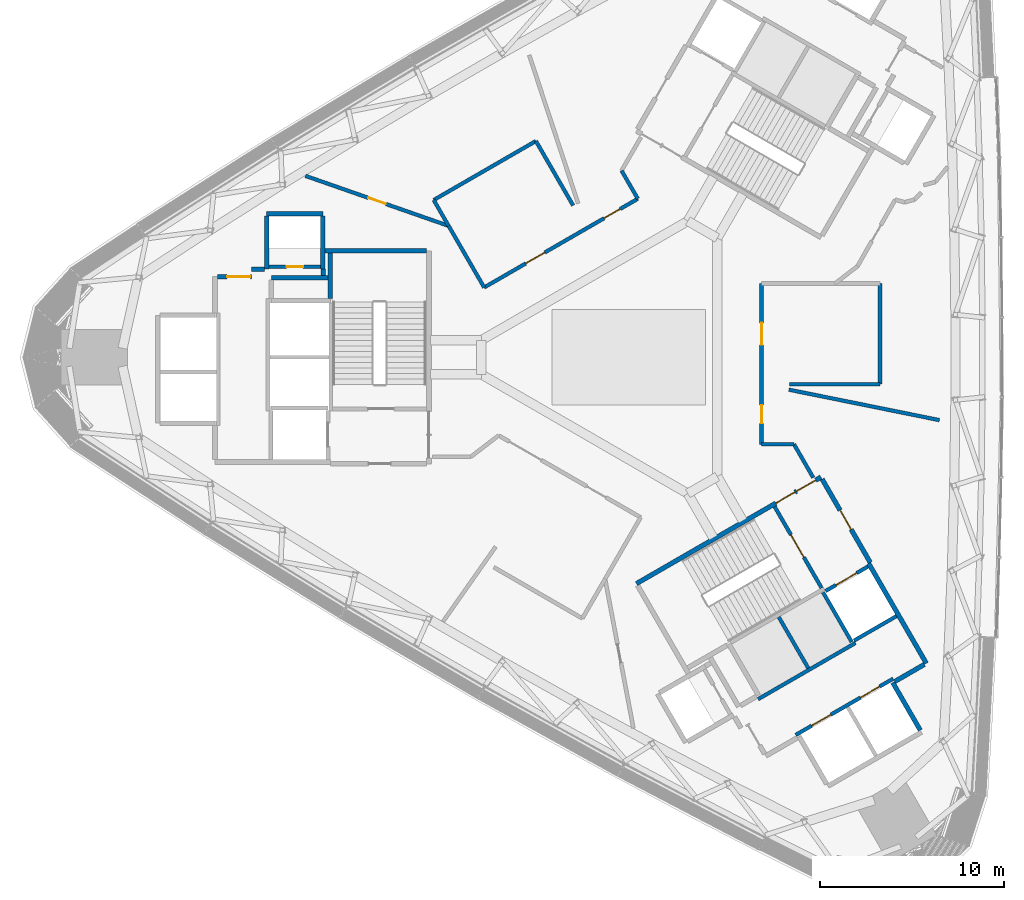
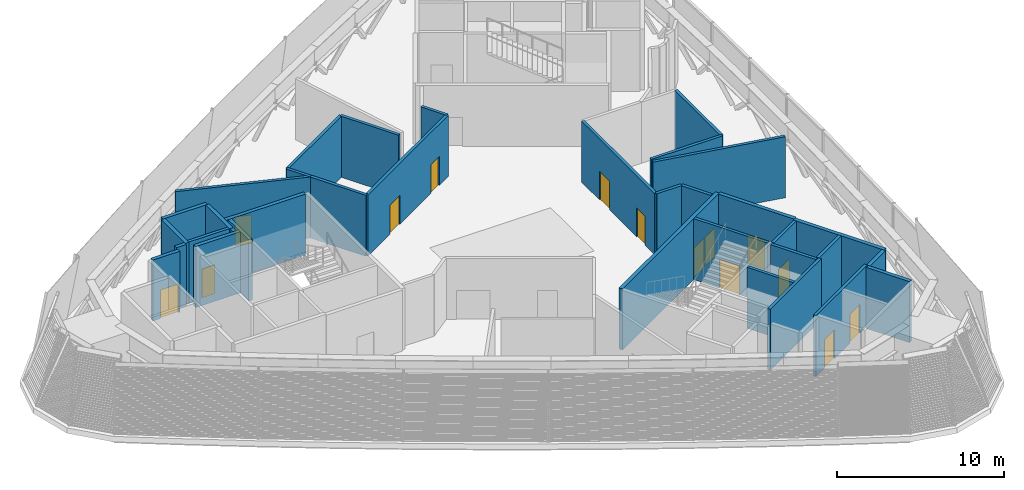
# One storey, part 11 of 18: 35 walls, 14 doors, 14 openings.
"""IFC4 building model written with IfcOpenShell, lengths in metres."""

from ifc_helpers import new_model, si_unit, direction, frame, frame_2d, origin, place, context, subcontext, project, spatial, rectangle, extrude, material, layer, layer_set, type_object, element, fill, save


model = new_model("IFC4")

# Units and contexts
model_context = context("Model", 3, precision=1e-05, world=origin(), true_north=direction((0.0, 1.0)))
body_context = subcontext(model_context, "Body", "Model", "MODEL_VIEW")
ifc_project = project(units=[si_unit("LENGTHUNIT", "METRE"), si_unit("AREAUNIT", "SQUARE_METRE"), si_unit("VOLUMEUNIT", "CUBIC_METRE"), si_unit("PLANEANGLEUNIT", "RADIAN"), si_unit("MASSUNIT", "GRAM", prefix="KILO")], contexts=[model_context])

# Site, building, storey
site_placement = place(None, origin())
site = spatial("IfcSite", under=ifc_project, at=site_placement, CompositionType="ELEMENT")
building_placement = place(site_placement, origin())
building = spatial("IfcBuilding", under=site, at=building_placement, Name="Tamra Quay Hotel Tower", CompositionType="ELEMENT")
storey_placement = place(building_placement, frame((0.0, 0.0, 164.800048828125)))
storey = spatial("IfcBuildingStorey", under=building, at=storey_placement, Name="L41", CompositionType="ELEMENT", Elevation=164.800048828125)

# Wall, opening, door
ifc_material_1 = material(Name="Concrete M70", Category="concrete")
ifc_layer_1 = layer(ifc_material_1, 0.199951171875)
ifc_layer_set_1 = layer_set([ifc_layer_1], Name="Concrete M70 core wall 200")
wall_type_1 = type_object("IfcWallType", Name="Concrete M70 core wall 200", PredefinedType="SHEAR", material=ifc_layer_set_1)
wall_1_placement = place(storey_placement, frame((-19.51123046875, 4.91015625, 0.0), z_axis=(0.0, 0.0, 1.0), x_axis=(1.0, 0.0, 0.0)))
wall_1 = element("IfcWall", 1, at=wall_1_placement, inside=storey, type_object=wall_type_1, Name="CW2", PredefinedType="SHEAR", context=body_context, shape_type="SweptSolid", body=[
    extrude(rectangle(XDim=2.7978515625, YDim=0.199951171875, at=frame_2d((1.39892578125, 0.0))), origin(), (0.0, 0.0, 1.0), 4.449951171875),
])
opening_1_placement = place(wall_1_placement, frame((0.948974609375, 0.0, 0.0)))
opening_1 = element("IfcOpeningElement", 2, at=opening_1_placement, cuts=wall_1, Name="Opening D1", PredefinedType="OPENING", context=body_context, shape_type="SweptSolid", body=[
    extrude(rectangle(XDim=0.89990234375, YDim=2.10009765625, at=frame_2d((0.449951171875, 1.050048828125))), frame((0.0, 0.10986328125, 0.0), z_axis=(0.0, -1.0, 0.0), x_axis=(1.0, 0.0, 0.0)), (0.0, 0.0, 1.0), 0.219970703125),
])
ifc_material_2 = material(Name="Core door D1 900x2100 LH")
door_type_1 = type_object("IfcDoorType", Name="Core door D1 900x2100 LH", OperationType="NOTDEFINED", PredefinedType="DOOR", material=ifc_material_2)
door_1_placement = place(opening_1_placement, origin())
door_1 = element("IfcDoor", 3, at=door_1_placement, inside=storey, type_object=door_type_1, Name="D1", OperationType="SINGLE_SWING_LEFT", OverallHeight=2.10009765625, OverallWidth=0.89990234375, PredefinedType="DOOR", context=body_context, shape_type="SweptSolid", body=[
    extrude(rectangle(XDim=0.89990234375, YDim=2.10009765625, at=frame_2d((0.449951171875, 1.050048828125))), frame((0.0, 0.02490234375, 0.0), z_axis=(0.0, -1.0, 0.0), x_axis=(1.0, 0.0, 0.0)), (0.0, 0.0, 1.0), 0.050048828125),
])
fill(opening_1, door_1)

# Wall, openings, doors
wall_2_placement = place(storey_placement, frame((9.052490234375, -20.479736328125, 0.0), z_axis=(0.0, 0.0, 1.0), x_axis=(0.866030299012, 0.499991521122, 0.0)))
wall_2 = element("IfcWall", 4, at=wall_2_placement, inside=storey, type_object=wall_type_1, Name="CW2", PredefinedType="SHEAR", context=body_context, shape_type="SweptSolid", body=[
    extrude(rectangle(XDim=6.10009765625, YDim=0.199951171875, at=frame_2d((3.050048828125, 0.0))), origin(), (0.0, 0.0, 1.0), 4.449951171875),
])
opening_2_placement = place(wall_2_placement, frame((1.0, 0.0, 0.0)))
opening_2 = element("IfcOpeningElement", 5, at=opening_2_placement, cuts=wall_2, Name="Opening LD", PredefinedType="OPENING", context=body_context, shape_type="SweptSolid", body=[
    extrude(rectangle(XDim=1.199951171875, YDim=2.10009765625, at=frame_2d((0.60009765625, 1.050048828125))), frame((0.0, 0.10986328125, 0.0), z_axis=(0.0, -1.0, 0.0), x_axis=(1.0, 0.0, 0.0)), (0.0, 0.0, 1.0), 0.219970703125),
])
opening_3_placement = place(wall_2_placement, frame((4.05029296875, 0.0, 0.0)))
opening_3 = element("IfcOpeningElement", 6, at=opening_3_placement, cuts=wall_2, Name="Opening LD", PredefinedType="OPENING", context=body_context, shape_type="SweptSolid", body=[
    extrude(rectangle(XDim=1.199951171875, YDim=2.10009765625, at=frame_2d((0.60009765625, 1.050048828125))), frame((0.0, 0.10986328125, 0.0), z_axis=(0.0, -1.0, 0.0), x_axis=(1.0, 0.0, 0.0)), (0.0, 0.0, 1.0), 0.219970703125),
])
ifc_material_3 = material(Name="Landing door LD 1200 double door sliding")
door_type_2 = type_object("IfcDoorType", Name="Landing door LD 1200 double door sliding", OperationType="DOUBLE_DOOR_SLIDING", PredefinedType="DOOR", material=ifc_material_3)
door_2_placement = place(opening_2_placement, origin())
door_2 = element("IfcDoor", 7, at=door_2_placement, inside=storey, type_object=door_type_2, Name="LD", OperationType="DOUBLE_DOOR_SLIDING", OverallHeight=2.10009765625, OverallWidth=1.199951171875, PredefinedType="DOOR", context=body_context, shape_type="SweptSolid", body=[
    extrude(rectangle(XDim=1.199951171875, YDim=2.10009765625, at=frame_2d((0.60009765625, 1.050048828125))), frame((0.0, 0.02490234375, 0.0), z_axis=(0.0, -1.0, 0.0), x_axis=(1.0, 0.0, 0.0)), (0.0, 0.0, 1.0), 0.050048828125),
])
fill(opening_2, door_2)
door_3_placement = place(opening_3_placement, origin())
door_3 = element("IfcDoor", 8, at=door_3_placement, inside=storey, type_object=door_type_2, Name="LD", OperationType="DOUBLE_DOOR_SLIDING", OverallHeight=2.10009765625, OverallWidth=1.199951171875, PredefinedType="DOOR", context=body_context, shape_type="SweptSolid", body=[
    extrude(rectangle(XDim=1.199951171875, YDim=2.10009765625, at=frame_2d((0.60009765625, 1.050048828125))), frame((0.0, 0.02490234375, 0.0), z_axis=(0.0, -1.0, 0.0), x_axis=(1.0, 0.0, 0.0)), (0.0, 0.0, 1.0), 0.050048828125),
])
fill(opening_3, door_3)

# Wall
wall_3_placement = place(storey_placement, frame((12.292724609375, -15.491455078125, 0.0), z_axis=(0.0, 0.0, 1.0), x_axis=(-0.866030299012, -0.499991521122, 0.0)))
element("IfcWall", 9, at=wall_3_placement, inside=storey, type_object=wall_type_1, Name="CW2", PredefinedType="SHEAR", context=body_context, shape_type="SweptSolid", body=[
    extrude(rectangle(XDim=6.10009765625, YDim=0.199951171875, at=frame_2d((3.050048828125, 0.0))), origin(), (0.0, 0.0, 1.0), 4.449951171875),
])

# Wall, opening, door
wall_4_placement = place(storey_placement, frame((7.906494140625, -8.094482421875, 0.0), z_axis=(0.0, 0.0, 1.0), x_axis=(0.500027839223, -0.866009330205, 0.0)))
wall_4 = element("IfcWall", 10, at=wall_4_placement, inside=storey, type_object=wall_type_1, Name="CW2", PredefinedType="SHEAR", context=body_context, shape_type="SweptSolid", body=[
    extrude(rectangle(XDim=5.097900390625, YDim=0.199951171875, at=frame_2d((2.548828125, 0.0))), origin(), (0.0, 0.0, 1.0), 4.449951171875),
])
opening_4_placement = place(wall_4_placement, frame((1.77392578125, 0.0, 0.0)))
opening_4 = element("IfcOpeningElement", 11, at=opening_4_placement, cuts=wall_4, Name="Opening FD2", PredefinedType="OPENING", context=body_context, shape_type="SweptSolid", body=[
    extrude(rectangle(XDim=1.39990234375, YDim=2.10009765625, at=frame_2d((0.699951171875, 1.050048828125))), frame((0.0, 0.10986328125, 0.0), z_axis=(0.0, -1.0, 0.0), x_axis=(1.0, 0.0, 0.0)), (0.0, 0.0, 1.0), 0.219970703125),
])
ifc_material_4 = material(Name="Core door FD2 1400x2100 LH")
door_type_3 = type_object("IfcDoorType", Name="Core door FD2 1400x2100 LH", OperationType="NOTDEFINED", PredefinedType="DOOR", material=ifc_material_4)
door_4_placement = place(opening_4_placement, origin())
door_4 = element("IfcDoor", 12, at=door_4_placement, inside=storey, type_object=door_type_3, Name="FD2", OperationType="SINGLE_SWING_LEFT", OverallHeight=2.10009765625, OverallWidth=1.39990234375, PredefinedType="DOOR", context=body_context, shape_type="SweptSolid", body=[
    extrude(rectangle(XDim=1.39990234375, YDim=2.10009765625, at=frame_2d((0.699951171875, 1.050048828125))), frame((0.0, 0.02490234375, 0.0), z_axis=(0.0, -1.0, 0.0), x_axis=(1.0, 0.0, 0.0)), (0.0, 0.0, 1.0), 0.050048828125),
])
fill(opening_4, door_4)

# Walls
wall_5_placement = place(storey_placement, frame((8.131591796875, -14.084228515625, 0.0), z_axis=(0.0, 0.0, 1.0), x_axis=(0.499997778408, -0.866026686418, 0.0)))
element("IfcWall", 13, at=wall_5_placement, inside=storey, type_object=wall_type_1, Name="CW2", PredefinedType="SHEAR", context=body_context, shape_type="SweptSolid", body=[
    extrude(rectangle(XDim=3.1982421875, YDim=0.199951171875, at=frame_2d((1.59912109375, 0.0))), origin(), (0.0, 0.0, 1.0), 4.449951171875),
])
wall_6_placement = place(storey_placement, frame((12.087646484375, -15.4365234375, 0.0), z_axis=(0.0, 0.0, 1.0), x_axis=(-0.500026960575, 0.86600983753, 0.0)))
element("IfcWall", 14, at=wall_6_placement, inside=storey, type_object=wall_type_1, Name="CW2", PredefinedType="SHEAR", context=body_context, shape_type="SweptSolid", body=[
    extrude(rectangle(XDim=3.099853515625, YDim=0.199951171875, at=frame_2d((1.5498046875, 0.0))), origin(), (0.0, 0.0, 1.0), 4.449951171875),
])

# Wall, opening, door
wall_7_placement = place(storey_placement, frame((10.666015625, -12.677734375, 0.0), z_axis=(0.0, 0.0, 1.0), x_axis=(0.866018407898, 0.500012117035, 0.0)))
wall_7 = element("IfcWall", 15, at=wall_7_placement, inside=storey, type_object=wall_type_1, Name="CW2", PredefinedType="SHEAR", context=body_context, shape_type="SweptSolid", body=[
    extrude(rectangle(XDim=2.65087890625, YDim=0.199951171875, at=frame_2d((1.325439453125, 0.0))), origin(), (0.0, 0.0, 1.0), 4.449951171875),
])
opening_5_placement = place(wall_7_placement, frame((0.65185546875, 0.0, 0.0)))
opening_5 = element("IfcOpeningElement", 16, at=opening_5_placement, cuts=wall_7, Name="Opening LD", PredefinedType="OPENING", context=body_context, shape_type="SweptSolid", body=[
    extrude(rectangle(XDim=1.300048828125, YDim=2.10009765625, at=frame_2d((0.64990234375, 1.050048828125))), frame((0.0, 0.10986328125, 0.0), z_axis=(0.0, -1.0, 0.0), x_axis=(1.0, 0.0, 0.0)), (0.0, 0.0, 1.0), 0.219970703125),
])
ifc_material_5 = material(Name="Landing door LD 1300 sliding to left")
door_type_4 = type_object("IfcDoorType", Name="Landing door LD 1300 sliding to left", OperationType="NOTDEFINED", PredefinedType="DOOR", material=ifc_material_5)
door_5_placement = place(opening_5_placement, origin())
door_5 = element("IfcDoor", 17, at=door_5_placement, inside=storey, type_object=door_type_4, Name="LD", OperationType="SLIDING_TO_LEFT", OverallHeight=2.10009765625, OverallWidth=1.300048828125, PredefinedType="DOOR", context=body_context, shape_type="SweptSolid", body=[
    extrude(rectangle(XDim=1.300048828125, YDim=2.10009765625, at=frame_2d((0.64990234375, 1.050048828125))), frame((0.0, 0.02490234375, 0.0), z_axis=(0.0, -1.0, 0.0), x_axis=(1.0, 0.0, 0.0)), (0.0, 0.0, 1.0), 0.050048828125),
])
fill(opening_5, door_5)

# Walls
wall_8_placement = place(storey_placement, frame((14.51171875, -14.037109375, 0.0), z_axis=(0.0, 0.0, 1.0), x_axis=(-0.866018407898, -0.500012117035, 0.0)))
element("IfcWall", 18, at=wall_8_placement, inside=storey, type_object=wall_type_1, Name="CW2", PredefinedType="SHEAR", context=body_context, shape_type="SweptSolid", body=[
    extrude(rectangle(XDim=2.65087890625, YDim=0.199951171875, at=frame_2d((1.325439453125, 0.0))), origin(), (0.0, 0.0, 1.0), 4.449951171875),
])
ifc_layer_2 = layer(ifc_material_1, 0.25)
ifc_layer_set_2 = layer_set([ifc_layer_2], Name="Concrete M70 core wall 250")
wall_type_2 = type_object("IfcWallType", Name="Concrete M70 core wall 250", PredefinedType="SHEAR", material=ifc_layer_set_2)
wall_9_placement = place(storey_placement, frame((-16.47216796875, 5.77490234375, 0.0), z_axis=(0.0, 0.0, 1.0), x_axis=(1.0, 0.0, 0.0)))
element("IfcWall", 19, at=wall_9_placement, inside=storey, type_object=wall_type_2, Name="CW1", PredefinedType="SHEAR", context=body_context, shape_type="SweptSolid", body=[
    extrude(rectangle(XDim=5.509521484375, YDim=0.25, at=frame_2d((2.7548828125, 0.0))), origin(), (0.0, 0.0, 1.0), 4.449951171875),
])
wall_10_placement = place(storey_placement, frame((-19.63720703125, 7.77490234375, 0.0), z_axis=(0.0, 0.0, 1.0), x_axis=(1.0, 0.0, 0.0)))
element("IfcWall", 20, at=wall_10_placement, inside=storey, type_object=wall_type_2, Name="CW1", PredefinedType="SHEAR", context=body_context, shape_type="SweptSolid", body=[
    extrude(rectangle(XDim=3.0498046875, YDim=0.25, at=frame_2d((1.52490234375, 0.0))), origin(), (0.0, 0.0, 1.0), 4.449951171875),
])
for number, where, z_axis, x_axis, name in (
    (21, (-16.58740234375, 7.649658203125, 0.0), (0.0, 0.0, 1.0), (0.0, -1.0, 0.0), "CW1"),
    (22, (-19.63720703125, 4.784912109375, 0.0), (0.0, 0.0, 1.0), (0.0, 1.0, 0.0), "CW1"),
):
    element("IfcWall", number, at=place(storey_placement, frame(where, z_axis=z_axis, x_axis=x_axis)), inside=storey, type_object=wall_type_2, Name=name, PredefinedType="SHEAR", context=body_context, shape_type="SweptSolid", body=[
        extrude(rectangle(XDim=2.86474609375, YDim=0.25, at=frame_2d((1.432373046875, 0.0))), origin(), (0.0, 0.0, 1.0), 4.449951171875),
    ])
wall_11_placement = place(storey_placement, frame((-16.30224609375, 4.31494140625, 0.0), z_axis=(0.0, 0.0, 1.0), x_axis=(-1.0, 0.0, 0.0)))
element("IfcWall", 23, at=wall_11_placement, inside=storey, type_object=wall_type_2, Name="CW1", PredefinedType="SHEAR", context=body_context, shape_type="SweptSolid", body=[
    extrude(rectangle(XDim=3.0849609375, YDim=0.25, at=frame_2d((1.54248046875, 0.0))), origin(), (0.0, 0.0, 1.0), 4.449951171875),
])
wall_12_placement = place(storey_placement, frame((-16.187255859375, 3.200439453125, 0.0), z_axis=(0.0, 0.0, 1.0), x_axis=(0.0, 1.0, 0.0)))
element("IfcWall", 24, at=wall_12_placement, inside=storey, type_object=wall_type_2, Name="CW1", PredefinedType="SHEAR", context=body_context, shape_type="SweptSolid", body=[
    extrude(rectangle(XDim=2.44921875, YDim=0.25, at=frame_2d((1.224609375, 0.0))), origin(), (0.0, 0.0, 1.0), 4.449951171875),
])

# Wall, opening, door
wall_13_placement = place(storey_placement, frame((-22.311767578125, 4.375, 0.0), z_axis=(0.0, 0.0, 1.0), x_axis=(1.0, 0.0, 0.0)))
wall_13 = element("IfcWall", 25, at=wall_13_placement, inside=storey, type_object=wall_type_2, Name="CW1", PredefinedType="SHEAR", context=body_context, shape_type="SweptSolid", body=[
    extrude(rectangle(XDim=1.864501953125, YDim=0.25, at=frame_2d((0.93212890625, 0.0))), origin(), (0.0, 0.0, 1.0), 4.449951171875),
])
opening_6_placement = place(wall_13_placement, frame((0.53466796875, 0.0, 0.0)))
opening_6 = element("IfcOpeningElement", 26, at=opening_6_placement, cuts=wall_13, Name="Opening FD3", PredefinedType="OPENING", context=body_context, shape_type="SweptSolid", body=[
    extrude(rectangle(XDim=1.25, YDim=2.10009765625, at=frame_2d((0.625, 1.050048828125))), frame((0.0, 0.135009765625, 0.0), z_axis=(0.0, -1.0, 0.0), x_axis=(1.0, 0.0, 0.0)), (0.0, 0.0, 1.0), 0.27001953125),
])
ifc_material_6 = material(Name="Core door FD3 1250x2100 LH")
door_type_5 = type_object("IfcDoorType", Name="Core door FD3 1250x2100 LH", OperationType="NOTDEFINED", PredefinedType="DOOR", material=ifc_material_6)
door_6_placement = place(opening_6_placement, origin())
door_6 = element("IfcDoor", 27, at=door_6_placement, inside=storey, type_object=door_type_5, Name="FD3", OperationType="SINGLE_SWING_LEFT", OverallHeight=2.10009765625, OverallWidth=1.25, PredefinedType="DOOR", context=body_context, shape_type="SweptSolid", body=[
    extrude(rectangle(XDim=1.25, YDim=2.10009765625, at=frame_2d((0.625, 1.050048828125))), frame((0.0, 0.02490234375, 0.0), z_axis=(0.0, -1.0, 0.0), x_axis=(1.0, 0.0, 0.0)), (0.0, 0.0, 1.0), 0.050048828125),
])
fill(opening_6, door_6)

# Walls
wall_14_placement = place(storey_placement, frame((-20.447265625, 4.784912109375, 0.0), z_axis=(0.0, 0.0, 1.0), x_axis=(1.0, 0.0, 0.0)))
element("IfcWall", 28, at=wall_14_placement, inside=storey, type_object=wall_type_2, Name="CW1", PredefinedType="SHEAR", context=body_context, shape_type="SweptSolid", body=[
    extrude(rectangle(XDim=0.6845703125, YDim=0.25, at=frame_2d((0.34228515625, 0.0))), origin(), (0.0, 0.0, 1.0), 4.449951171875),
])
wall_15_placement = place(storey_placement, frame((-16.577392578125, 4.784912109375, 0.0), z_axis=(0.0, 0.0, 1.0), x_axis=(0.0, -1.0, 0.0)))
element("IfcWall", 29, at=wall_15_placement, inside=storey, type_object=wall_type_2, Name="CW1", PredefinedType="SHEAR", context=body_context, shape_type="SweptSolid", body=[
    extrude(rectangle(XDim=0.344482421875, YDim=0.25, at=frame_2d((0.17236328125, 0.0))), origin(), (0.0, 0.0, 1.0), 4.449951171875),
])

# Wall, openings, doors
wall_16_placement = place(storey_placement, frame((0.417236328125, -12.27294921875, 0.0), z_axis=(0.0, 0.0, 1.0), x_axis=(0.866021906294, 0.500006057782, 0.0)))
wall_16 = element("IfcWall", 30, at=wall_16_placement, inside=storey, type_object=wall_type_2, Name="CW1", PredefinedType="SHEAR", context=body_context, shape_type="SweptSolid", body=[
    extrude(rectangle(XDim=11.550048828125, YDim=0.25, at=frame_2d((5.77490234375, 0.0))), origin(), (0.0, 0.0, 1.0), 4.449951171875),
])
opening_7_placement = place(wall_16_placement, frame((10.024658203125, 0.0, 0.0)))
opening_7 = element("IfcOpeningElement", 31, at=opening_7_placement, cuts=wall_16, Name="Opening FD1", PredefinedType="OPENING", context=body_context, shape_type="SweptSolid", body=[
    extrude(rectangle(XDim=1.199951171875, YDim=2.10009765625, at=frame_2d((0.60009765625, 1.050048828125))), frame((0.0, 0.135009765625, 0.0), z_axis=(0.0, -1.0, 0.0), x_axis=(1.0, 0.0, 0.0)), (0.0, 0.0, 1.0), 0.27001953125),
])
opening_8_placement = place(wall_16_placement, frame((8.724609375, 0.0, 0.0)))
opening_8 = element("IfcOpeningElement", 32, at=opening_8_placement, cuts=wall_16, Name="Opening FD1", PredefinedType="OPENING", context=body_context, shape_type="SweptSolid", body=[
    extrude(rectangle(XDim=1.199951171875, YDim=2.10009765625, at=frame_2d((0.60009765625, 1.050048828125))), frame((0.0, 0.135009765625, 0.0), z_axis=(0.0, -1.0, 0.0), x_axis=(1.0, 0.0, 0.0)), (0.0, 0.0, 1.0), 0.27001953125),
])
ifc_material_7 = material(Name="Core door FD1 1200x2100 LH")
door_type_6 = type_object("IfcDoorType", Name="Core door FD1 1200x2100 LH", OperationType="NOTDEFINED", PredefinedType="DOOR", material=ifc_material_7)
door_7_placement = place(opening_7_placement, origin())
door_7 = element("IfcDoor", 33, at=door_7_placement, inside=storey, type_object=door_type_6, Name="FD1", OperationType="SINGLE_SWING_LEFT", OverallHeight=2.10009765625, OverallWidth=1.199951171875, PredefinedType="DOOR", context=body_context, shape_type="SweptSolid", body=[
    extrude(rectangle(XDim=1.199951171875, YDim=2.10009765625, at=frame_2d((0.60009765625, 1.050048828125))), frame((0.0, 0.02490234375, 0.0), z_axis=(0.0, -1.0, 0.0), x_axis=(1.0, 0.0, 0.0)), (0.0, 0.0, 1.0), 0.050048828125),
])
fill(opening_7, door_7)
ifc_material_8 = material(Name="Core door FD1 1200x2100 RH")
door_type_7 = type_object("IfcDoorType", Name="Core door FD1 1200x2100 RH", OperationType="NOTDEFINED", PredefinedType="DOOR", material=ifc_material_8)
door_8_placement = place(opening_8_placement, origin())
door_8 = element("IfcDoor", 34, at=door_8_placement, inside=storey, type_object=door_type_7, Name="FD1", OperationType="SINGLE_SWING_RIGHT", OverallHeight=2.10009765625, OverallWidth=1.199951171875, PredefinedType="DOOR", context=body_context, shape_type="SweptSolid", body=[
    extrude(rectangle(XDim=1.199951171875, YDim=2.10009765625, at=frame_2d((0.60009765625, 1.050048828125))), frame((0.0, 0.02490234375, 0.0), z_axis=(0.0, -1.0, 0.0), x_axis=(1.0, 0.0, 0.0)), (0.0, 0.0, 1.0), 0.050048828125),
])
fill(opening_8, door_8)

# Wall
wall_17_placement = place(storey_placement, frame((13.00830078125, -11.18115234375, 0.0), z_axis=(0.0, 0.0, 1.0), x_axis=(0.500004234368, -0.866022959057, 0.0)))
element("IfcWall", 35, at=wall_17_placement, inside=storey, type_object=wall_type_2, Name="CW1", PredefinedType="SHEAR", context=body_context, shape_type="SweptSolid", body=[
    extrude(rectangle(XDim=6.25, YDim=0.25, at=frame_2d((3.125, 0.0))), origin(), (0.0, 0.0, 1.0), 4.449951171875),
])

# Wall, opening, door
wall_18_placement = place(storey_placement, frame((10.482666015625, -6.6064453125, 0.0), z_axis=(0.0, 0.0, 1.0), x_axis=(0.49999885962, -0.866026062182, 0.0)))
wall_18 = element("IfcWall", 36, at=wall_18_placement, inside=storey, type_object=wall_type_2, Name="CW1", PredefinedType="SHEAR", context=body_context, shape_type="SweptSolid", body=[
    extrude(rectangle(XDim=5.224609375, YDim=0.25, at=frame_2d((2.6123046875, 0.0))), origin(), (0.0, 0.0, 1.0), 4.449951171875),
])
opening_9_placement = place(wall_18_placement, frame((1.94970703125, 0.0, 0.0)))
opening_9 = element("IfcOpeningElement", 37, at=opening_9_placement, cuts=wall_18, Name="Opening D2", PredefinedType="OPENING", context=body_context, shape_type="SweptSolid", body=[
    extrude(rectangle(XDim=1.199951171875, YDim=2.10009765625, at=frame_2d((0.60009765625, 1.050048828125))), frame((0.0, 0.135009765625, 0.0), z_axis=(0.0, -1.0, 0.0), x_axis=(1.0, 0.0, 0.0)), (0.0, 0.0, 1.0), 0.27001953125),
])
ifc_material_9 = material(Name="Core door D2 1200x2100 RH")
door_type_8 = type_object("IfcDoorType", Name="Core door D2 1200x2100 RH", OperationType="NOTDEFINED", PredefinedType="DOOR", material=ifc_material_9)
door_9_placement = place(opening_9_placement, origin())
door_9 = element("IfcDoor", 38, at=door_9_placement, inside=storey, type_object=door_type_8, Name="D2", OperationType="SINGLE_SWING_RIGHT", OverallHeight=2.10009765625, OverallWidth=1.199951171875, PredefinedType="DOOR", context=body_context, shape_type="SweptSolid", body=[
    extrude(rectangle(XDim=1.199951171875, YDim=2.10009765625, at=frame_2d((0.60009765625, 1.050048828125))), frame((0.0, 0.02490234375, 0.0), z_axis=(0.0, -1.0, 0.0), x_axis=(1.0, 0.0, 0.0)), (0.0, 0.0, 1.0), 0.050048828125),
])
fill(opening_9, door_9)

# Walls
wall_19_placement = place(storey_placement, frame((14.314697265625, -17.643798828125, 0.0), z_axis=(0.0, 0.0, 1.0), x_axis=(0.500023226632, -0.866011993467, 0.0)))
element("IfcWall", 39, at=wall_19_placement, inside=storey, type_object=wall_type_2, Name="CW1", PredefinedType="SHEAR", context=body_context, shape_type="SweptSolid", body=[
    extrude(rectangle(XDim=2.974365234375, YDim=0.25, at=frame_2d((1.4873046875, 0.0))), origin(), (0.0, 0.0, 1.0), 4.449951171875),
])
wall_20_placement = place(storey_placement, frame((16.024658203125, -16.656494140625, 0.0), z_axis=(0.0, 0.0, 1.0), x_axis=(-0.866016279763, -0.500015802937, 0.0)))
element("IfcWall", 40, at=wall_20_placement, inside=storey, type_object=wall_type_2, Name="CW1", PredefinedType="SHEAR", context=body_context, shape_type="SweptSolid", body=[
    extrude(rectangle(XDim=1.84912109375, YDim=0.25, at=frame_2d((0.924560546875, 0.0))), origin(), (0.0, 0.0, 1.0), 4.449951171875),
])

# Wall, opening, door
ifc_material_10 = material(Name="Partition corridor wall")
ifc_layer_3 = layer(ifc_material_10, 0.199951171875)
ifc_layer_set_3 = layer_set([ifc_layer_3], Name="Partition corridor wall")
wall_type_3 = type_object("IfcWallType", Name="Partition corridor wall", PredefinedType="PARTITIONING", material=ifc_layer_set_3)
wall_21_placement = place(storey_placement, frame((-17.535888671875, 9.837890625, 0.0), z_axis=(0.0, 0.0, 1.0), x_axis=(0.944066821922, -0.329754205048, 0.0)))
wall_21 = element("IfcWall", 41, at=wall_21_placement, inside=storey, type_object=wall_type_3, Name="W-C", PredefinedType="PARTITIONING", context=body_context, shape_type="SweptSolid", body=[
    extrude(rectangle(XDim=8.22705078125, YDim=0.199951171875, at=frame_2d((4.113525390625, 0.0))), origin(), (0.0, 0.0, 1.0), 4.449951171875),
])
opening_10_placement = place(wall_21_placement, frame((3.6162109375, 0.0, 0.0)))
opening_10 = element("IfcOpeningElement", 42, at=opening_10_placement, cuts=wall_21, Name="Opening L41-D005", PredefinedType="OPENING", context=body_context, shape_type="SweptSolid", body=[
    extrude(rectangle(XDim=1.0, YDim=2.10009765625, at=frame_2d((0.5, 1.050048828125))), frame((0.0, 0.10986328125, 0.0), z_axis=(0.0, -1.0, 0.0), x_axis=(1.0, 0.0, 0.0)), (0.0, 0.0, 1.0), 0.219970703125),
])
ifc_material_11 = material(Name="Door service room 1000x2100")
door_type_9 = type_object("IfcDoorType", Name="Door service room 1000x2100", OperationType="NOTDEFINED", PredefinedType="DOOR", material=ifc_material_11)
door_10_placement = place(opening_10_placement, origin())
door_10 = element("IfcDoor", 43, at=door_10_placement, inside=storey, type_object=door_type_9, Name="L41-D005", OperationType="SINGLE_SWING_LEFT", OverallHeight=2.10009765625, OverallWidth=1.0, PredefinedType="DOOR", context=body_context, shape_type="SweptSolid", body=[
    extrude(rectangle(XDim=1.0, YDim=2.10009765625, at=frame_2d((0.5, 1.050048828125))), frame((0.0, 0.02490234375, 0.0), z_axis=(0.0, -1.0, 0.0), x_axis=(1.0, 0.0, 0.0)), (0.0, 0.0, 1.0), 0.050048828125),
])
fill(opening_10, door_10)

# Wall
wall_22_placement = place(storey_placement, frame((-9.76904296875, 7.125, 0.0), z_axis=(0.0, 0.0, 1.0), x_axis=(0.499837575736, -0.866119159171, 0.0)))
element("IfcWall", 44, at=wall_22_placement, inside=storey, type_object=wall_type_3, Name="W-C", PredefinedType="PARTITIONING", context=body_context, shape_type="SweptSolid", body=[
    extrude(rectangle(XDim=3.855224609375, YDim=0.199951171875, at=frame_2d((1.927734375, 0.0))), origin(), (0.0, 0.0, 1.0), 4.449951171875),
])

# Wall, openings, doors
wall_23_placement = place(storey_placement, frame((-7.8427734375, 3.787353515625, 0.0), z_axis=(0.0, 0.0, 1.0), x_axis=(0.866104875001, 0.499862326546, 0.0)))
wall_23 = element("IfcWall", 45, at=wall_23_placement, inside=storey, type_object=wall_type_3, Name="W-C", PredefinedType="PARTITIONING", context=body_context, shape_type="SweptSolid", body=[
    extrude(rectangle(XDim=9.619873046875, YDim=0.199951171875, at=frame_2d((4.81005859375, 0.0))), origin(), (0.0, 0.0, 1.0), 4.449951171875),
])
opening_11_placement = place(wall_23_placement, frame((7.5078125, 0.0, 0.0)))
opening_11 = element("IfcOpeningElement", 46, at=opening_11_placement, cuts=wall_23, Name="Opening L41-D001", PredefinedType="OPENING", context=body_context, shape_type="SweptSolid", body=[
    extrude(rectangle(XDim=1.0, YDim=2.10009765625, at=frame_2d((0.5, 1.050048828125))), frame((0.0, 0.10986328125, 0.0), z_axis=(0.0, -1.0, 0.0), x_axis=(1.0, 0.0, 0.0)), (0.0, 0.0, 1.0), 0.219970703125),
])
opening_12_placement = place(wall_23_placement, frame((2.599853515625, 0.0, 0.0)))
opening_12 = element("IfcOpeningElement", 47, at=opening_12_placement, cuts=wall_23, Name="Opening L41-D008", PredefinedType="OPENING", context=body_context, shape_type="SweptSolid", body=[
    extrude(rectangle(XDim=1.199951171875, YDim=2.10009765625, at=frame_2d((0.60009765625, 1.050048828125))), frame((0.0, 0.10986328125, 0.0), z_axis=(0.0, -1.0, 0.0), x_axis=(1.0, 0.0, 0.0)), (0.0, 0.0, 1.0), 0.219970703125),
])
ifc_material_12 = material(Name="Door fire rated 1200x2100")
door_type_10 = type_object("IfcDoorType", Name="Door fire rated 1200x2100", OperationType="NOTDEFINED", PredefinedType="DOOR", material=ifc_material_12)
door_11_placement = place(opening_12_placement, origin())
door_11 = element("IfcDoor", 48, at=door_11_placement, inside=storey, type_object=door_type_10, Name="L41-D008", OperationType="SINGLE_SWING_LEFT", OverallHeight=2.10009765625, OverallWidth=1.199951171875, PredefinedType="DOOR", context=body_context, shape_type="SweptSolid", body=[
    extrude(rectangle(XDim=1.199951171875, YDim=2.10009765625, at=frame_2d((0.60009765625, 1.050048828125))), frame((0.0, 0.02490234375, 0.0), z_axis=(0.0, -1.0, 0.0), x_axis=(1.0, 0.0, 0.0)), (0.0, 0.0, 1.0), 0.050048828125),
])
fill(opening_12, door_11)
door_12_placement = place(opening_11_placement, origin())
door_12 = element("IfcDoor", 49, at=door_12_placement, inside=storey, type_object=door_type_9, Name="L41-D001", OperationType="SINGLE_SWING_LEFT", OverallHeight=2.10009765625, OverallWidth=1.0, PredefinedType="DOOR", context=body_context, shape_type="SweptSolid", body=[
    extrude(rectangle(XDim=1.0, YDim=2.10009765625, at=frame_2d((0.5, 1.050048828125))), frame((0.0, 0.02490234375, 0.0), z_axis=(0.0, -1.0, 0.0), x_axis=(1.0, 0.0, 0.0)), (0.0, 0.0, 1.0), 0.050048828125),
])
fill(opening_11, door_12)

# Wall
wall_24_placement = place(storey_placement, frame((-0.39208984375, 10.12109375, 0.0), z_axis=(0.0, 0.0, 1.0), x_axis=(0.500238339471, -0.86588775469, 0.0)))
element("IfcWall", 50, at=wall_24_placement, inside=storey, type_object=wall_type_3, Name="W-C", PredefinedType="PARTITIONING", context=body_context, shape_type="SweptSolid", body=[
    extrude(rectangle(XDim=1.761474609375, YDim=0.199951171875, at=frame_2d((0.880859375, 0.0))), origin(), (0.0, 0.0, 1.0), 4.449951171875),
])

# Wall, openings, doors
wall_25_placement = place(storey_placement, frame((7.199951171875, -4.720947265625, 0.0), z_axis=(0.0, 0.0, 1.0), x_axis=(0.0, 1.0, 0.0)))
wall_25 = element("IfcWall", 51, at=wall_25_placement, inside=storey, type_object=wall_type_3, Name="W-C", PredefinedType="PARTITIONING", context=body_context, shape_type="SweptSolid", body=[
    extrude(rectangle(XDim=8.718017578125, YDim=0.199951171875, at=frame_2d((4.35888671875, 0.0))), origin(), (0.0, 0.0, 1.0), 4.449951171875),
])
opening_13_placement = place(wall_25_placement, frame((1.133544921875, 0.0, 0.0)))
opening_13 = element("IfcOpeningElement", 52, at=opening_13_placement, cuts=wall_25, Name="Opening L41-D003", PredefinedType="OPENING", context=body_context, shape_type="SweptSolid", body=[
    extrude(rectangle(XDim=1.0, YDim=2.10009765625, at=frame_2d((0.5, 1.050048828125))), frame((0.0, 0.10986328125, 0.0), z_axis=(0.0, -1.0, 0.0), x_axis=(1.0, 0.0, 0.0)), (0.0, 0.0, 1.0), 0.219970703125),
])
opening_14_placement = place(wall_25_placement, frame((5.390380859375, 0.0, 0.0)))
opening_14 = element("IfcOpeningElement", 53, at=opening_14_placement, cuts=wall_25, Name="Opening L41-D009", PredefinedType="OPENING", context=body_context, shape_type="SweptSolid", body=[
    extrude(rectangle(XDim=1.199951171875, YDim=2.10009765625, at=frame_2d((0.60009765625, 1.050048828125))), frame((0.0, 0.10986328125, 0.0), z_axis=(0.0, -1.0, 0.0), x_axis=(1.0, 0.0, 0.0)), (0.0, 0.0, 1.0), 0.219970703125),
])
door_13_placement = place(opening_14_placement, frame((1.199951171875, 0.0, 0.0), z_axis=(0.0, 0.0, 1.0), x_axis=(-1.0, 0.0, 0.0)))
door_13 = element("IfcDoor", 54, at=door_13_placement, inside=storey, type_object=door_type_10, Name="L41-D009", OperationType="SINGLE_SWING_LEFT", OverallHeight=2.10009765625, OverallWidth=1.199951171875, PredefinedType="DOOR", context=body_context, shape_type="SweptSolid", body=[
    extrude(rectangle(XDim=1.199951171875, YDim=2.10009765625, at=frame_2d((0.60009765625, 1.050048828125))), frame((0.0, 0.02490234375, 0.0), z_axis=(0.0, -1.0, 0.0), x_axis=(1.0, 0.0, 0.0)), (0.0, 0.0, 1.0), 0.050048828125),
])
fill(opening_14, door_13)
door_14_placement = place(opening_13_placement, frame((1.0, 0.0, 0.0), z_axis=(0.0, 0.0, 1.0), x_axis=(-1.0, 0.0, 0.0)))
door_14 = element("IfcDoor", 55, at=door_14_placement, inside=storey, type_object=door_type_9, Name="L41-D003", OperationType="SINGLE_SWING_LEFT", OverallHeight=2.10009765625, OverallWidth=1.0, PredefinedType="DOOR", context=body_context, shape_type="SweptSolid", body=[
    extrude(rectangle(XDim=1.0, YDim=2.10009765625, at=frame_2d((0.5, 1.050048828125))), frame((0.0, 0.02490234375, 0.0), z_axis=(0.0, -1.0, 0.0), x_axis=(1.0, 0.0, 0.0)), (0.0, 0.0, 1.0), 0.050048828125),
])
fill(opening_13, door_14)

# Walls
wall_26_placement = place(storey_placement, frame((7.199951171875, -4.720947265625, 0.0), z_axis=(0.0, 0.0, 1.0), x_axis=(1.0, 0.0, 0.0)))
element("IfcWall", 56, at=wall_26_placement, inside=storey, type_object=wall_type_3, Name="W-C", PredefinedType="PARTITIONING", context=body_context, shape_type="SweptSolid", body=[
    extrude(rectangle(XDim=1.760986328125, YDim=0.199951171875, at=frame_2d((0.88037109375, 0.0))), origin(), (0.0, 0.0, 1.0), 4.449951171875),
])
wall_27_placement = place(storey_placement, frame((8.9609375, -4.720947265625, 0.0), z_axis=(0.0, 0.0, 1.0), x_axis=(0.499806992981, -0.866136807766, 0.0)))
element("IfcWall", 57, at=wall_27_placement, inside=storey, type_object=wall_type_3, Name="W-C", PredefinedType="PARTITIONING", context=body_context, shape_type="SweptSolid", body=[
    extrude(rectangle(XDim=2.083251953125, YDim=0.199951171875, at=frame_2d((1.04150390625, 0.0))), origin(), (0.0, 0.0, 1.0), 4.449951171875),
])
ifc_material_13 = material(Name="Partition party wall")
ifc_layer_4 = layer(ifc_material_13, 0.199951171875)
ifc_layer_set_4 = layer_set([ifc_layer_4], Name="Partition party wall")
wall_type_4 = type_object("IfcWallType", Name="Partition party wall", PredefinedType="PARTITIONING", material=ifc_layer_set_4)
wall_28_placement = place(storey_placement, frame((-10.5791015625, 8.529052734375, 0.0), z_axis=(0.0, 0.0, 1.0), x_axis=(0.498775127666, -0.866731430157, 0.0)))
element("IfcWall", 58, at=wall_28_placement, inside=storey, type_object=wall_type_4, Name="W-P", PredefinedType="PARTITIONING", context=body_context, shape_type="SweptSolid", body=[
    extrude(rectangle(XDim=1.6142578125, YDim=0.199951171875, at=frame_2d((0.80712890625, 0.0))), origin(), (0.0, 0.0, 1.0), 4.449951171875),
])
wall_29_placement = place(storey_placement, frame((-10.5791015625, 8.529052734375, 0.0), z_axis=(0.0, 0.0, 1.0), x_axis=(0.866034354261, 0.499984496999, 0.0)))
element("IfcWall", 59, at=wall_29_placement, inside=storey, type_object=wall_type_4, Name="W-P", PredefinedType="PARTITIONING", context=body_context, shape_type="SweptSolid", body=[
    extrude(rectangle(XDim=6.398193359375, YDim=0.199951171875, at=frame_2d((3.19921875, 0.0))), origin(), (0.0, 0.0, 1.0), 4.449951171875),
])
wall_30_placement = place(storey_placement, frame((-5.0380859375, 11.72802734375, 0.0), z_axis=(0.0, 0.0, 1.0), x_axis=(0.500315898403, -0.86584294292, 0.0)))
element("IfcWall", 60, at=wall_30_placement, inside=storey, type_object=wall_type_4, Name="W-P", PredefinedType="PARTITIONING", context=body_context, shape_type="SweptSolid", body=[
    extrude(rectangle(XDim=4.03564453125, YDim=0.199951171875, at=frame_2d((2.017822265625, 0.0))), origin(), (0.0, 0.0, 1.0), 4.449951171875),
])
wall_31_placement = place(storey_placement, frame((8.680908203125, -1.756103515625, 0.0), z_axis=(0.0, 0.0, 1.0), x_axis=(0.980151165676, -0.198251588704, 0.0)))
element("IfcWall", 61, at=wall_31_placement, inside=storey, type_object=wall_type_4, Name="W-P", PredefinedType="PARTITIONING", context=body_context, shape_type="SweptSolid", body=[
    extrude(rectangle(XDim=8.330810546875, YDim=0.199951171875, at=frame_2d((4.16552734375, 0.0))), origin(), (0.0, 0.0, 1.0), 4.449951171875),
])
wall_32_placement = place(storey_placement, frame((8.722900390625, -1.4599609375, 0.0), z_axis=(0.0, 0.0, 1.0), x_axis=(0.999999920533, 0.000398664442, 0.0)))
element("IfcWall", 62, at=wall_32_placement, inside=storey, type_object=wall_type_4, Name="W-P", PredefinedType="PARTITIONING", context=body_context, shape_type="SweptSolid", body=[
    extrude(rectangle(XDim=4.899169921875, YDim=0.199951171875, at=frame_2d((2.44970703125, 0.0))), origin(), (0.0, 0.0, 1.0), 4.449951171875),
])
wall_33_placement = place(storey_placement, frame((13.6220703125, -1.4580078125, 0.0), z_axis=(0.0, 0.0, 1.0), x_axis=(0.000179018973, 0.999999983976, 0.0)))
element("IfcWall", 63, at=wall_33_placement, inside=storey, type_object=wall_type_4, Name="W-P", PredefinedType="PARTITIONING", context=body_context, shape_type="SweptSolid", body=[
    extrude(rectangle(XDim=5.455078125, YDim=0.199951171875, at=frame_2d((2.7275390625, 0.0))), origin(), (0.0, 0.0, 1.0), 4.449951171875),
])

save(model, "model.ifc")
